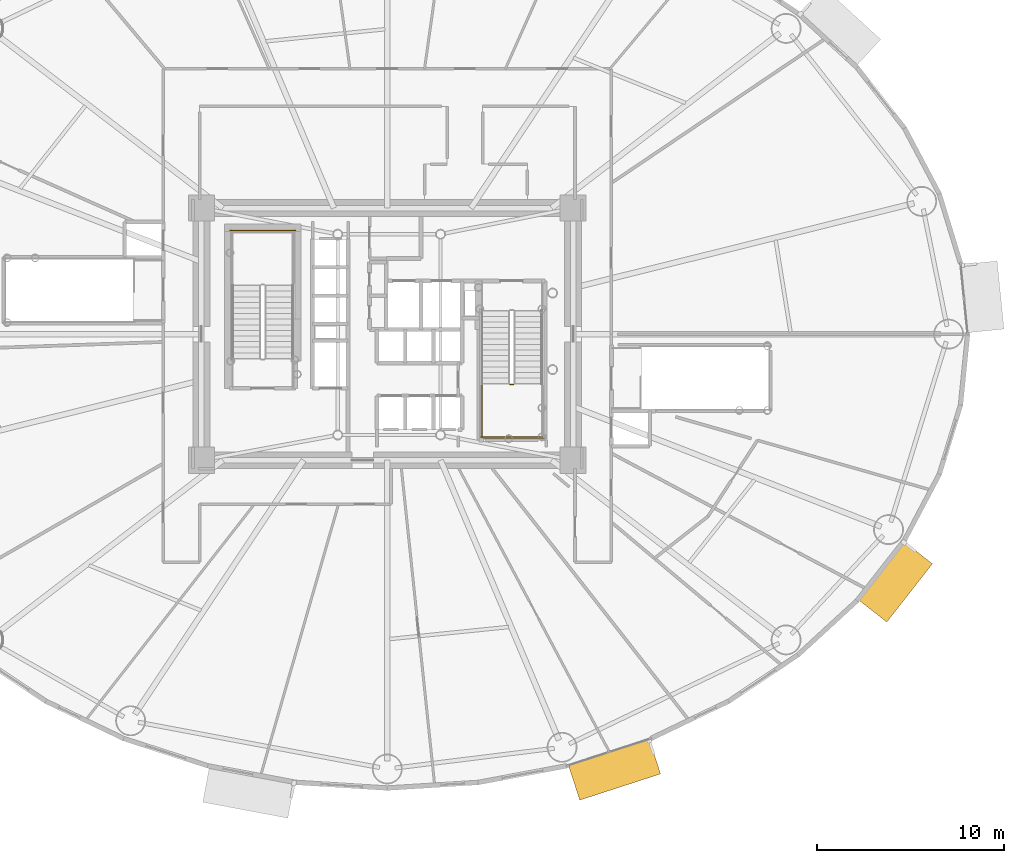
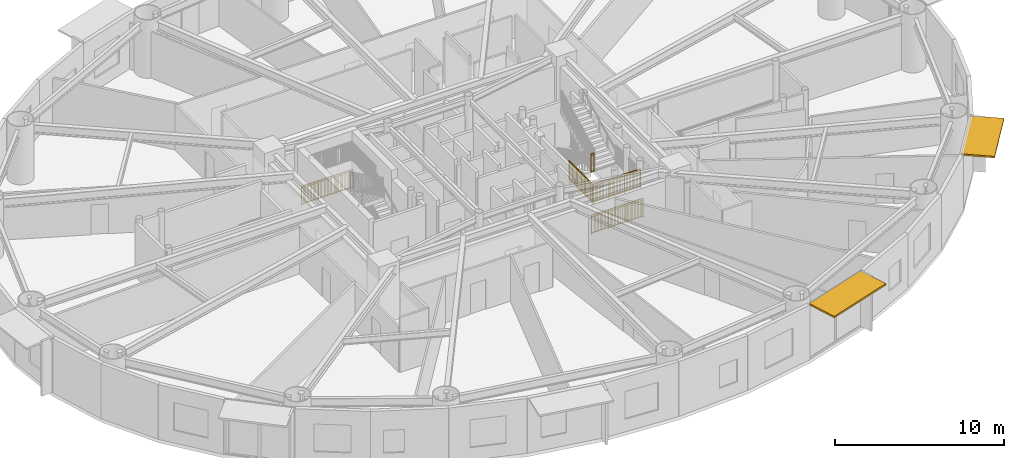
# One storey, part 25 of 28: 5 railings, 2 shading devices.
"""IFC4 building model written with IfcOpenShell, lengths in metres."""

from ifc_helpers import new_model, si_unit, direction, frame, origin, origin_2d, place, context, subcontext, project, spatial, rectangle, extrude, source, transform, mapped, material, layer, layer_set, type_object, element, save


model = new_model("IFC4")

# Units and contexts
model_context = context("Model", 3, precision=1e-05, world=origin(), true_north=direction((0.0, 1.0)))
body_context = subcontext(model_context, "Body", "Model", "MODEL_VIEW")
ifc_project = project(units=[si_unit("LENGTHUNIT", "METRE"), si_unit("AREAUNIT", "SQUARE_METRE"), si_unit("VOLUMEUNIT", "CUBIC_METRE"), si_unit("PLANEANGLEUNIT", "RADIAN"), si_unit("MASSUNIT", "GRAM", prefix="KILO")], contexts=[model_context])

# Site, building, storey
site_placement = place(None, origin())
site = spatial("IfcSite", under=ifc_project, at=site_placement, CompositionType="ELEMENT")
building_placement = place(site_placement, origin())
building = spatial("IfcBuilding", under=site, at=building_placement, Name="Linh Dai School and Residence Tower", CompositionType="ELEMENT")
storey_placement = place(building_placement, frame((0.0, 0.0, 57.60009765625)))
storey = spatial("IfcBuildingStorey", under=building, at=storey_placement, Name="L13", CompositionType="ELEMENT", Elevation=57.60009765625)

# Shading devices
ifc_material_1 = material(Name="Terracotta Ceramic Sunshade", Category="masonry")
ifc_layer = layer(ifc_material_1, 0.1201171875)
ifc_layer_set = layer_set([ifc_layer], Name="Terracotta Ceramic Sunshade")
shading_device_type = type_object("IfcShadingDeviceType", Name="SHD-TC-2000", PredefinedType="USERDEFINED", material=ifc_layer_set)
shared_shape_1 = source(origin(), body_context, "Body", "SweptSolid", [
    extrude(rectangle(XDim=4.54931640625, YDim=2.0, at=origin_2d()), origin(), (0.0, 0.0, 1.0), 0.1201171875),
])
shading_device_1_placement = place(storey_placement, frame((48.160400390625, 3.70458984375, 3.809814453125), z_axis=(0.0, 0.0, 1.0), x_axis=(-0.951220777043, -0.308510993844, 0.0)))
element("IfcShadingDevice", 1, at=shading_device_1_placement, inside=storey, type_object=shading_device_type, Name="L13 Terracotta Horizontal Sunshade Band 33", ObjectType="SUNSHADE", PredefinedType="USERDEFINED", context=body_context, shape_type="MappedRepresentation", body=[
    mapped(shared_shape_1, transform((0.0, 0.0, 0.0), x_axis=(1.0, 0.0, 0.0), y_axis=(0.0, 1.0, 0.0), z_axis=(0.0, 0.0, 1.0), scale=1.0)),
])
shared_shape_2 = source(origin(), body_context, "Body", "SweptSolid", [
    extrude(rectangle(XDim=3.964111328125, YDim=2.0, at=origin_2d()), origin(), (0.0, 0.0, 1.0), 0.1201171875),
])
shading_device_2_placement = place(storey_placement, frame((63.17822265625, 13.759521484375, 3.809814453125), z_axis=(0.0, 0.0, 1.0), x_axis=(-0.616319427785, -0.787496262172, 0.0)))
element("IfcShadingDevice", 2, at=shading_device_2_placement, inside=storey, type_object=shading_device_type, Name="L13 Terracotta Horizontal Sunshade Band 37", ObjectType="SUNSHADE", PredefinedType="USERDEFINED", context=body_context, shape_type="MappedRepresentation", body=[
    mapped(shared_shape_2, transform((0.0, 0.0, 0.0), x_axis=(1.0, 0.0, 0.0), y_axis=(0.0, 1.0, 0.0), z_axis=(0.0, 0.0, 1.0), scale=1.0)),
])

# Railings
ifc_material_2 = material(Name="Structural Steel S355JR", Category="steel")
railing_type = type_object("IfcRailingType", Name="RL-ST-GUARD-1400", PredefinedType="GUARDRAIL", material=ifc_material_2)
shared_shape_3 = source(origin(), body_context, "Body", "SweptSolid", [
    extrude(rectangle(XDim=0.048095703125, YDim=0.048095703125, at=origin_2d()), frame((0.0, 0.0, 1.3759765625), z_axis=(-1.0, 0.0, 0.0), x_axis=(0.0, -1.0, 0.0)), (0.0, 0.0, 1.0), 3.5),
    extrude(rectangle(XDim=0.048095703125, YDim=0.048095703125, at=origin_2d()), frame((0.0, 0.0, 0.10009765625), z_axis=(-1.0, 0.0, 0.0), x_axis=(0.0, -1.0, 0.0)), (0.0, 0.0, 1.0), 3.5),
    extrude(rectangle(XDim=0.030029296875, YDim=0.030029296875, at=origin_2d()), frame((0.0, 0.0, 1.239990234375), z_axis=(-1.0, 0.0, 0.0), x_axis=(0.0, -1.0, 0.0)), (0.0, 0.0, 1.0), 3.5),
    extrude(rectangle(XDim=0.02001953125, YDim=0.02001953125, at=origin_2d()), frame((-0.09716796875, 0.0, 0.10009765625)), (0.0, 0.0, 1.0), 1.251708984375),
    extrude(rectangle(XDim=0.02001953125, YDim=0.02001953125, at=origin_2d()), frame((-0.1943359375, 0.0, 0.10009765625)), (0.0, 0.0, 1.0), 1.251708984375),
    extrude(rectangle(XDim=0.02001953125, YDim=0.02001953125, at=origin_2d()), frame((-0.291748046875, 0.0, 0.10009765625)), (0.0, 0.0, 1.0), 1.251708984375),
    extrude(rectangle(XDim=0.02001953125, YDim=0.02001953125, at=origin_2d()), frame((-0.388916015625, 0.0, 0.10009765625)), (0.0, 0.0, 1.0), 1.251708984375),
    extrude(rectangle(XDim=0.02001953125, YDim=0.02001953125, at=origin_2d()), frame((-0.486083984375, 0.0, 0.10009765625)), (0.0, 0.0, 1.0), 1.251708984375),
    extrude(rectangle(XDim=0.02001953125, YDim=0.02001953125, at=origin_2d()), frame((-0.583251953125, 0.0, 0.10009765625)), (0.0, 0.0, 1.0), 1.251708984375),
    extrude(rectangle(XDim=0.02001953125, YDim=0.02001953125, at=origin_2d()), frame((-0.6806640625, 0.0, 0.10009765625)), (0.0, 0.0, 1.0), 1.251708984375),
    extrude(rectangle(XDim=0.02001953125, YDim=0.02001953125, at=origin_2d()), frame((-0.77783203125, 0.0, 0.10009765625)), (0.0, 0.0, 1.0), 1.251708984375),
    extrude(rectangle(XDim=0.02001953125, YDim=0.02001953125, at=origin_2d()), frame((-0.875, 0.0, 0.10009765625)), (0.0, 0.0, 1.0), 1.251708984375),
    extrude(rectangle(XDim=0.02001953125, YDim=0.02001953125, at=origin_2d()), frame((-0.97216796875, 0.0, 0.10009765625)), (0.0, 0.0, 1.0), 1.251708984375),
    extrude(rectangle(XDim=0.02001953125, YDim=0.02001953125, at=origin_2d()), frame((-1.0693359375, 0.0, 0.10009765625)), (0.0, 0.0, 1.0), 1.251708984375),
    extrude(rectangle(XDim=0.02001953125, YDim=0.02001953125, at=origin_2d()), frame((-1.263916015625, 0.0, 0.10009765625)), (0.0, 0.0, 1.0), 1.251708984375),
    extrude(rectangle(XDim=0.02001953125, YDim=0.02001953125, at=origin_2d()), frame((-1.361083984375, 0.0, 0.10009765625)), (0.0, 0.0, 1.0), 1.251708984375),
    extrude(rectangle(XDim=0.02001953125, YDim=0.02001953125, at=origin_2d()), frame((-1.458251953125, 0.0, 0.10009765625)), (0.0, 0.0, 1.0), 1.251708984375),
    extrude(rectangle(XDim=0.02001953125, YDim=0.02001953125, at=origin_2d()), frame((-1.5556640625, 0.0, 0.10009765625)), (0.0, 0.0, 1.0), 1.251708984375),
    extrude(rectangle(XDim=0.02001953125, YDim=0.02001953125, at=origin_2d()), frame((-1.65283203125, 0.0, 0.10009765625)), (0.0, 0.0, 1.0), 1.251708984375),
    extrude(rectangle(XDim=0.02001953125, YDim=0.02001953125, at=origin_2d()), frame((-1.75, 0.0, 0.10009765625)), (0.0, 0.0, 1.0), 1.251708984375),
    extrude(rectangle(XDim=0.02001953125, YDim=0.02001953125, at=origin_2d()), frame((-1.84716796875, 0.0, 0.10009765625)), (0.0, 0.0, 1.0), 1.251708984375),
    extrude(rectangle(XDim=0.02001953125, YDim=0.02001953125, at=origin_2d()), frame((-1.9443359375, 0.0, 0.10009765625)), (0.0, 0.0, 1.0), 1.251708984375),
    extrude(rectangle(XDim=0.02001953125, YDim=0.02001953125, at=origin_2d()), frame((-2.041748046875, 0.0, 0.10009765625)), (0.0, 0.0, 1.0), 1.251708984375),
    extrude(rectangle(XDim=0.02001953125, YDim=0.02001953125, at=origin_2d()), frame((-2.138916015625, 0.0, 0.10009765625)), (0.0, 0.0, 1.0), 1.251708984375),
    extrude(rectangle(XDim=0.02001953125, YDim=0.02001953125, at=origin_2d()), frame((-2.236083984375, 0.0, 0.10009765625)), (0.0, 0.0, 1.0), 1.251708984375),
    extrude(rectangle(XDim=0.02001953125, YDim=0.02001953125, at=origin_2d()), frame((-2.4306640625, 0.0, 0.10009765625)), (0.0, 0.0, 1.0), 1.251708984375),
    extrude(rectangle(XDim=0.02001953125, YDim=0.02001953125, at=origin_2d()), frame((-2.52783203125, 0.0, 0.10009765625)), (0.0, 0.0, 1.0), 1.251708984375),
    extrude(rectangle(XDim=0.02001953125, YDim=0.02001953125, at=origin_2d()), frame((-2.625, 0.0, 0.10009765625)), (0.0, 0.0, 1.0), 1.251708984375),
    extrude(rectangle(XDim=0.02001953125, YDim=0.02001953125, at=origin_2d()), frame((-2.72216796875, 0.0, 0.10009765625)), (0.0, 0.0, 1.0), 1.251708984375),
    extrude(rectangle(XDim=0.02001953125, YDim=0.02001953125, at=origin_2d()), frame((-2.8193359375, 0.0, 0.10009765625)), (0.0, 0.0, 1.0), 1.251708984375),
    extrude(rectangle(XDim=0.02001953125, YDim=0.02001953125, at=origin_2d()), frame((-2.916748046875, 0.0, 0.10009765625)), (0.0, 0.0, 1.0), 1.251708984375),
    extrude(rectangle(XDim=0.02001953125, YDim=0.02001953125, at=origin_2d()), frame((-3.013916015625, 0.0, 0.10009765625)), (0.0, 0.0, 1.0), 1.251708984375),
    extrude(rectangle(XDim=0.02001953125, YDim=0.02001953125, at=origin_2d()), frame((-3.111083984375, 0.0, 0.10009765625)), (0.0, 0.0, 1.0), 1.251708984375),
    extrude(rectangle(XDim=0.02001953125, YDim=0.02001953125, at=origin_2d()), frame((-3.208251953125, 0.0, 0.10009765625)), (0.0, 0.0, 1.0), 1.251708984375),
    extrude(rectangle(XDim=0.02001953125, YDim=0.02001953125, at=origin_2d()), frame((-3.3056640625, 0.0, 0.10009765625)), (0.0, 0.0, 1.0), 1.251708984375),
    extrude(rectangle(XDim=0.02001953125, YDim=0.02001953125, at=origin_2d()), frame((-3.40283203125, 0.0, 0.10009765625)), (0.0, 0.0, 1.0), 1.251708984375),
    extrude(rectangle(XDim=0.0419921875, YDim=0.0419921875, at=origin_2d()), origin(), (0.0, 0.0, 1.0), 1.3759765625),
    extrude(rectangle(XDim=0.0419921875, YDim=0.0419921875, at=origin_2d()), frame((-1.166748046875, 0.0, 0.0)), (0.0, 0.0, 1.0), 1.3759765625),
    extrude(rectangle(XDim=0.0419921875, YDim=0.0419921875, at=origin_2d()), frame((-2.333251953125, 0.0, 0.0)), (0.0, 0.0, 1.0), 1.3759765625),
    extrude(rectangle(XDim=0.0419921875, YDim=0.0419921875, at=origin_2d()), frame((-3.5, 0.0, 0.0)), (0.0, 0.0, 1.0), 1.3759765625),
])
railing_1_placement = place(storey_placement, frame((31.080078125, 32.550048828125, 0.0)))
element("IfcRailing", 3, at=railing_1_placement, inside=storey, type_object=railing_type, Name="L13 ST1 stair guard 12", PredefinedType="GUARDRAIL", context=body_context, shape_type="MappedRepresentation", body=[
    mapped(shared_shape_3, transform((0.0, 0.0, 0.0), x_axis=(1.0, 0.0, 0.0), y_axis=(0.0, 1.0, 0.0), z_axis=(0.0, 0.0, 1.0), scale=1.0)),
])
shared_shape_4 = source(origin(), body_context, "Body", "SweptSolid", [
    extrude(rectangle(XDim=0.048095703125, YDim=0.048095703125, at=origin_2d()), frame((0.0, 0.0, 1.3759765625), z_axis=(1.0, 0.0, 0.0), x_axis=(0.0, 1.0, 0.0)), (0.0, 0.0, 1.0), 0.199951171875),
    extrude(rectangle(XDim=0.048095703125, YDim=0.048095703125, at=origin_2d()), frame((0.0, 0.0, 0.10009765625), z_axis=(1.0, 0.0, 0.0), x_axis=(0.0, 1.0, 0.0)), (0.0, 0.0, 1.0), 0.199951171875),
    extrude(rectangle(XDim=0.030029296875, YDim=0.030029296875, at=origin_2d()), frame((0.0, 0.0, 1.239990234375), z_axis=(1.0, 0.0, 0.0), x_axis=(0.0, 1.0, 0.0)), (0.0, 0.0, 1.0), 0.199951171875),
    extrude(rectangle(XDim=0.0419921875, YDim=0.0419921875, at=origin_2d()), origin(), (0.0, 0.0, 1.0), 1.3759765625),
    extrude(rectangle(XDim=0.0419921875, YDim=0.0419921875, at=origin_2d()), frame((0.199951171875, 0.0, 0.0)), (0.0, 0.0, 1.0), 1.3759765625),
])
railing_2_placement = place(storey_placement, frame((42.570068359375, 24.300048828125, 2.099853515625)))
element("IfcRailing", 4, at=railing_2_placement, inside=storey, type_object=railing_type, Name="L13 ST2 stair guard 2", PredefinedType="GUARDRAIL", context=body_context, shape_type="MappedRepresentation", body=[
    mapped(shared_shape_4, transform((0.0, 0.0, 0.0), x_axis=(1.0, 0.0, 0.0), y_axis=(0.0, 1.0, 0.0), z_axis=(0.0, 0.0, 1.0), scale=1.0)),
])
shared_shape_5 = source(origin(), body_context, "Body", "SweptSolid", [
    extrude(rectangle(XDim=0.048095703125, YDim=0.048095703125, at=origin_2d()), frame((0.0, 0.0, 1.3759765625), z_axis=(1.0, 0.0, 0.0), x_axis=(0.0, 1.0, 0.0)), (0.0, 0.0, 1.0), 3.300048828125),
    extrude(rectangle(XDim=0.048095703125, YDim=0.048095703125, at=origin_2d()), frame((0.0, 0.0, 0.10009765625), z_axis=(1.0, 0.0, 0.0), x_axis=(0.0, 1.0, 0.0)), (0.0, 0.0, 1.0), 3.300048828125),
    extrude(rectangle(XDim=0.030029296875, YDim=0.030029296875, at=origin_2d()), frame((0.0, 0.0, 1.239990234375), z_axis=(1.0, 0.0, 0.0), x_axis=(0.0, 1.0, 0.0)), (0.0, 0.0, 1.0), 3.300048828125),
    extrude(rectangle(XDim=0.02001953125, YDim=0.02001953125, at=origin_2d()), frame((0.09716796875, 0.0, 0.10009765625)), (0.0, 0.0, 1.0), 1.251708984375),
    extrude(rectangle(XDim=0.02001953125, YDim=0.02001953125, at=origin_2d()), frame((0.194091796875, 0.0, 0.10009765625)), (0.0, 0.0, 1.0), 1.251708984375),
    extrude(rectangle(XDim=0.02001953125, YDim=0.02001953125, at=origin_2d()), frame((0.291259765625, 0.0, 0.10009765625)), (0.0, 0.0, 1.0), 1.251708984375),
    extrude(rectangle(XDim=0.02001953125, YDim=0.02001953125, at=origin_2d()), frame((0.38818359375, 0.0, 0.10009765625)), (0.0, 0.0, 1.0), 1.251708984375),
    extrude(rectangle(XDim=0.02001953125, YDim=0.02001953125, at=origin_2d()), frame((0.4853515625, 0.0, 0.10009765625)), (0.0, 0.0, 1.0), 1.251708984375),
    extrude(rectangle(XDim=0.02001953125, YDim=0.02001953125, at=origin_2d()), frame((0.582275390625, 0.0, 0.10009765625)), (0.0, 0.0, 1.0), 1.251708984375),
    extrude(rectangle(XDim=0.02001953125, YDim=0.02001953125, at=origin_2d()), frame((0.679443359375, 0.0, 0.10009765625)), (0.0, 0.0, 1.0), 1.251708984375),
    extrude(rectangle(XDim=0.02001953125, YDim=0.02001953125, at=origin_2d()), frame((0.7763671875, 0.0, 0.10009765625)), (0.0, 0.0, 1.0), 1.251708984375),
    extrude(rectangle(XDim=0.02001953125, YDim=0.02001953125, at=origin_2d()), frame((0.87353515625, 0.0, 0.10009765625)), (0.0, 0.0, 1.0), 1.251708984375),
    extrude(rectangle(XDim=0.02001953125, YDim=0.02001953125, at=origin_2d()), frame((0.970703125, 0.0, 0.10009765625)), (0.0, 0.0, 1.0), 1.251708984375),
    extrude(rectangle(XDim=0.02001953125, YDim=0.02001953125, at=origin_2d()), frame((1.164794921875, 0.0, 0.10009765625)), (0.0, 0.0, 1.0), 1.251708984375),
    extrude(rectangle(XDim=0.02001953125, YDim=0.02001953125, at=origin_2d()), frame((1.26171875, 0.0, 0.10009765625)), (0.0, 0.0, 1.0), 1.251708984375),
    extrude(rectangle(XDim=0.02001953125, YDim=0.02001953125, at=origin_2d()), frame((1.35888671875, 0.0, 0.10009765625)), (0.0, 0.0, 1.0), 1.251708984375),
    extrude(rectangle(XDim=0.02001953125, YDim=0.02001953125, at=origin_2d()), frame((1.455810546875, 0.0, 0.10009765625)), (0.0, 0.0, 1.0), 1.251708984375),
    extrude(rectangle(XDim=0.02001953125, YDim=0.02001953125, at=origin_2d()), frame((1.552978515625, 0.0, 0.10009765625)), (0.0, 0.0, 1.0), 1.251708984375),
    extrude(rectangle(XDim=0.02001953125, YDim=0.02001953125, at=origin_2d()), frame((1.64990234375, 0.0, 0.10009765625)), (0.0, 0.0, 1.0), 1.251708984375),
    extrude(rectangle(XDim=0.02001953125, YDim=0.02001953125, at=origin_2d()), frame((1.7470703125, 0.0, 0.10009765625)), (0.0, 0.0, 1.0), 1.251708984375),
    extrude(rectangle(XDim=0.02001953125, YDim=0.02001953125, at=origin_2d()), frame((1.84423828125, 0.0, 0.10009765625)), (0.0, 0.0, 1.0), 1.251708984375),
    extrude(rectangle(XDim=0.02001953125, YDim=0.02001953125, at=origin_2d()), frame((1.941162109375, 0.0, 0.10009765625)), (0.0, 0.0, 1.0), 1.251708984375),
    extrude(rectangle(XDim=0.02001953125, YDim=0.02001953125, at=origin_2d()), frame((2.038330078125, 0.0, 0.10009765625)), (0.0, 0.0, 1.0), 1.251708984375),
    extrude(rectangle(XDim=0.02001953125, YDim=0.02001953125, at=origin_2d()), frame((2.13525390625, 0.0, 0.10009765625)), (0.0, 0.0, 1.0), 1.251708984375),
    extrude(rectangle(XDim=0.02001953125, YDim=0.02001953125, at=origin_2d()), frame((2.329345703125, 0.0, 0.10009765625)), (0.0, 0.0, 1.0), 1.251708984375),
    extrude(rectangle(XDim=0.02001953125, YDim=0.02001953125, at=origin_2d()), frame((2.426513671875, 0.0, 0.10009765625)), (0.0, 0.0, 1.0), 1.251708984375),
    extrude(rectangle(XDim=0.02001953125, YDim=0.02001953125, at=origin_2d()), frame((2.523681640625, 0.0, 0.10009765625)), (0.0, 0.0, 1.0), 1.251708984375),
    extrude(rectangle(XDim=0.02001953125, YDim=0.02001953125, at=origin_2d()), frame((2.62060546875, 0.0, 0.10009765625)), (0.0, 0.0, 1.0), 1.251708984375),
    extrude(rectangle(XDim=0.02001953125, YDim=0.02001953125, at=origin_2d()), frame((2.7177734375, 0.0, 0.10009765625)), (0.0, 0.0, 1.0), 1.251708984375),
    extrude(rectangle(XDim=0.02001953125, YDim=0.02001953125, at=origin_2d()), frame((2.814697265625, 0.0, 0.10009765625)), (0.0, 0.0, 1.0), 1.251708984375),
    extrude(rectangle(XDim=0.02001953125, YDim=0.02001953125, at=origin_2d()), frame((2.911865234375, 0.0, 0.10009765625)), (0.0, 0.0, 1.0), 1.251708984375),
    extrude(rectangle(XDim=0.02001953125, YDim=0.02001953125, at=origin_2d()), frame((3.0087890625, 0.0, 0.10009765625)), (0.0, 0.0, 1.0), 1.251708984375),
    extrude(rectangle(XDim=0.02001953125, YDim=0.02001953125, at=origin_2d()), frame((3.10595703125, 0.0, 0.10009765625)), (0.0, 0.0, 1.0), 1.251708984375),
    extrude(rectangle(XDim=0.02001953125, YDim=0.02001953125, at=origin_2d()), frame((3.202880859375, 0.0, 0.10009765625)), (0.0, 0.0, 1.0), 1.251708984375),
    extrude(rectangle(XDim=0.0419921875, YDim=0.0419921875, at=origin_2d()), origin(), (0.0, 0.0, 1.0), 1.3759765625),
    extrude(rectangle(XDim=0.0419921875, YDim=0.0419921875, at=origin_2d()), frame((1.10009765625, 0.0, 0.0)), (0.0, 0.0, 1.0), 1.3759765625),
    extrude(rectangle(XDim=0.0419921875, YDim=0.0419921875, at=origin_2d()), frame((2.199951171875, 0.0, 0.0)), (0.0, 0.0, 1.0), 1.3759765625),
    extrude(rectangle(XDim=0.0419921875, YDim=0.0419921875, at=origin_2d()), frame((3.300048828125, 0.0, 0.0)), (0.0, 0.0, 1.0), 1.3759765625),
])
railing_3_placement = place(storey_placement, frame((41.02001953125, 21.5, 2.099853515625)))
element("IfcRailing", 5, at=railing_3_placement, inside=storey, type_object=railing_type, Name="L13 ST2 stair guard 5", PredefinedType="GUARDRAIL", context=body_context, shape_type="MappedRepresentation", body=[
    mapped(shared_shape_5, transform((0.0, 0.0, 0.0), x_axis=(1.0, 0.0, 0.0), y_axis=(0.0, 1.0, 0.0), z_axis=(0.0, 0.0, 1.0), scale=1.0)),
])
shared_shape_6 = source(origin(), body_context, "Body", "SweptSolid", [
    extrude(rectangle(XDim=0.048095703125, YDim=0.048095703125, at=origin_2d()), frame((0.0, 0.0, 1.3759765625), z_axis=(1.0, 0.0, 0.0), x_axis=(0.0, 1.0, 0.0)), (0.0, 0.0, 1.0), 3.5),
    extrude(rectangle(XDim=0.048095703125, YDim=0.048095703125, at=origin_2d()), frame((0.0, 0.0, 0.10009765625), z_axis=(1.0, 0.0, 0.0), x_axis=(0.0, 1.0, 0.0)), (0.0, 0.0, 1.0), 3.5),
    extrude(rectangle(XDim=0.030029296875, YDim=0.030029296875, at=origin_2d()), frame((0.0, 0.0, 1.239990234375), z_axis=(1.0, 0.0, 0.0), x_axis=(0.0, 1.0, 0.0)), (0.0, 0.0, 1.0), 3.5),
    extrude(rectangle(XDim=0.02001953125, YDim=0.02001953125, at=origin_2d()), frame((0.09716796875, 0.0, 0.10009765625)), (0.0, 0.0, 1.0), 1.251708984375),
    extrude(rectangle(XDim=0.02001953125, YDim=0.02001953125, at=origin_2d()), frame((0.1943359375, 0.0, 0.10009765625)), (0.0, 0.0, 1.0), 1.251708984375),
    extrude(rectangle(XDim=0.02001953125, YDim=0.02001953125, at=origin_2d()), frame((0.291748046875, 0.0, 0.10009765625)), (0.0, 0.0, 1.0), 1.251708984375),
    extrude(rectangle(XDim=0.02001953125, YDim=0.02001953125, at=origin_2d()), frame((0.388916015625, 0.0, 0.10009765625)), (0.0, 0.0, 1.0), 1.251708984375),
    extrude(rectangle(XDim=0.02001953125, YDim=0.02001953125, at=origin_2d()), frame((0.486083984375, 0.0, 0.10009765625)), (0.0, 0.0, 1.0), 1.251708984375),
    extrude(rectangle(XDim=0.02001953125, YDim=0.02001953125, at=origin_2d()), frame((0.583251953125, 0.0, 0.10009765625)), (0.0, 0.0, 1.0), 1.251708984375),
    extrude(rectangle(XDim=0.02001953125, YDim=0.02001953125, at=origin_2d()), frame((0.6806640625, 0.0, 0.10009765625)), (0.0, 0.0, 1.0), 1.251708984375),
    extrude(rectangle(XDim=0.02001953125, YDim=0.02001953125, at=origin_2d()), frame((0.77783203125, 0.0, 0.10009765625)), (0.0, 0.0, 1.0), 1.251708984375),
    extrude(rectangle(XDim=0.02001953125, YDim=0.02001953125, at=origin_2d()), frame((0.875, 0.0, 0.10009765625)), (0.0, 0.0, 1.0), 1.251708984375),
    extrude(rectangle(XDim=0.02001953125, YDim=0.02001953125, at=origin_2d()), frame((0.97216796875, 0.0, 0.10009765625)), (0.0, 0.0, 1.0), 1.251708984375),
    extrude(rectangle(XDim=0.02001953125, YDim=0.02001953125, at=origin_2d()), frame((1.0693359375, 0.0, 0.10009765625)), (0.0, 0.0, 1.0), 1.251708984375),
    extrude(rectangle(XDim=0.02001953125, YDim=0.02001953125, at=origin_2d()), frame((1.263916015625, 0.0, 0.10009765625)), (0.0, 0.0, 1.0), 1.251708984375),
    extrude(rectangle(XDim=0.02001953125, YDim=0.02001953125, at=origin_2d()), frame((1.361083984375, 0.0, 0.10009765625)), (0.0, 0.0, 1.0), 1.251708984375),
    extrude(rectangle(XDim=0.02001953125, YDim=0.02001953125, at=origin_2d()), frame((1.458251953125, 0.0, 0.10009765625)), (0.0, 0.0, 1.0), 1.251708984375),
    extrude(rectangle(XDim=0.02001953125, YDim=0.02001953125, at=origin_2d()), frame((1.5556640625, 0.0, 0.10009765625)), (0.0, 0.0, 1.0), 1.251708984375),
    extrude(rectangle(XDim=0.02001953125, YDim=0.02001953125, at=origin_2d()), frame((1.65283203125, 0.0, 0.10009765625)), (0.0, 0.0, 1.0), 1.251708984375),
    extrude(rectangle(XDim=0.02001953125, YDim=0.02001953125, at=origin_2d()), frame((1.75, 0.0, 0.10009765625)), (0.0, 0.0, 1.0), 1.251708984375),
    extrude(rectangle(XDim=0.02001953125, YDim=0.02001953125, at=origin_2d()), frame((1.84716796875, 0.0, 0.10009765625)), (0.0, 0.0, 1.0), 1.251708984375),
    extrude(rectangle(XDim=0.02001953125, YDim=0.02001953125, at=origin_2d()), frame((1.9443359375, 0.0, 0.10009765625)), (0.0, 0.0, 1.0), 1.251708984375),
    extrude(rectangle(XDim=0.02001953125, YDim=0.02001953125, at=origin_2d()), frame((2.041748046875, 0.0, 0.10009765625)), (0.0, 0.0, 1.0), 1.251708984375),
    extrude(rectangle(XDim=0.02001953125, YDim=0.02001953125, at=origin_2d()), frame((2.138916015625, 0.0, 0.10009765625)), (0.0, 0.0, 1.0), 1.251708984375),
    extrude(rectangle(XDim=0.02001953125, YDim=0.02001953125, at=origin_2d()), frame((2.236083984375, 0.0, 0.10009765625)), (0.0, 0.0, 1.0), 1.251708984375),
    extrude(rectangle(XDim=0.02001953125, YDim=0.02001953125, at=origin_2d()), frame((2.4306640625, 0.0, 0.10009765625)), (0.0, 0.0, 1.0), 1.251708984375),
    extrude(rectangle(XDim=0.02001953125, YDim=0.02001953125, at=origin_2d()), frame((2.52783203125, 0.0, 0.10009765625)), (0.0, 0.0, 1.0), 1.251708984375),
    extrude(rectangle(XDim=0.02001953125, YDim=0.02001953125, at=origin_2d()), frame((2.625, 0.0, 0.10009765625)), (0.0, 0.0, 1.0), 1.251708984375),
    extrude(rectangle(XDim=0.02001953125, YDim=0.02001953125, at=origin_2d()), frame((2.72216796875, 0.0, 0.10009765625)), (0.0, 0.0, 1.0), 1.251708984375),
    extrude(rectangle(XDim=0.02001953125, YDim=0.02001953125, at=origin_2d()), frame((2.8193359375, 0.0, 0.10009765625)), (0.0, 0.0, 1.0), 1.251708984375),
    extrude(rectangle(XDim=0.02001953125, YDim=0.02001953125, at=origin_2d()), frame((2.916748046875, 0.0, 0.10009765625)), (0.0, 0.0, 1.0), 1.251708984375),
    extrude(rectangle(XDim=0.02001953125, YDim=0.02001953125, at=origin_2d()), frame((3.013916015625, 0.0, 0.10009765625)), (0.0, 0.0, 1.0), 1.251708984375),
    extrude(rectangle(XDim=0.02001953125, YDim=0.02001953125, at=origin_2d()), frame((3.111083984375, 0.0, 0.10009765625)), (0.0, 0.0, 1.0), 1.251708984375),
    extrude(rectangle(XDim=0.02001953125, YDim=0.02001953125, at=origin_2d()), frame((3.208251953125, 0.0, 0.10009765625)), (0.0, 0.0, 1.0), 1.251708984375),
    extrude(rectangle(XDim=0.02001953125, YDim=0.02001953125, at=origin_2d()), frame((3.3056640625, 0.0, 0.10009765625)), (0.0, 0.0, 1.0), 1.251708984375),
    extrude(rectangle(XDim=0.02001953125, YDim=0.02001953125, at=origin_2d()), frame((3.40283203125, 0.0, 0.10009765625)), (0.0, 0.0, 1.0), 1.251708984375),
    extrude(rectangle(XDim=0.0419921875, YDim=0.0419921875, at=origin_2d()), origin(), (0.0, 0.0, 1.0), 1.3759765625),
    extrude(rectangle(XDim=0.0419921875, YDim=0.0419921875, at=origin_2d()), frame((1.166748046875, 0.0, 0.0)), (0.0, 0.0, 1.0), 1.3759765625),
    extrude(rectangle(XDim=0.0419921875, YDim=0.0419921875, at=origin_2d()), frame((2.333251953125, 0.0, 0.0)), (0.0, 0.0, 1.0), 1.3759765625),
    extrude(rectangle(XDim=0.0419921875, YDim=0.0419921875, at=origin_2d()), frame((3.5, 0.0, 0.0)), (0.0, 0.0, 1.0), 1.3759765625),
])
railing_4_placement = place(storey_placement, frame((40.919921875, 21.39990234375, 0.0)))
element("IfcRailing", 6, at=railing_4_placement, inside=storey, type_object=railing_type, Name="L13 ST2 stair guard 12", PredefinedType="GUARDRAIL", context=body_context, shape_type="MappedRepresentation", body=[
    mapped(shared_shape_6, transform((0.0, 0.0, 0.0), x_axis=(1.0, 0.0, 0.0), y_axis=(0.0, 1.0, 0.0), z_axis=(0.0, 0.0, 1.0), scale=1.0)),
])
shared_shape_7 = source(origin(), body_context, "Body", "SweptSolid", [
    extrude(rectangle(XDim=0.048095703125, YDim=0.048095703125, at=origin_2d()), frame((0.0, 0.0, 1.3759765625), z_axis=(0.0, -1.0, 0.0), x_axis=(1.0, 0.0, 0.0)), (0.0, 0.0, 1.0), 2.900146484375),
    extrude(rectangle(XDim=0.048095703125, YDim=0.048095703125, at=origin_2d()), frame((0.0, 0.0, 0.10009765625), z_axis=(0.0, -1.0, 0.0), x_axis=(1.0, 0.0, 0.0)), (0.0, 0.0, 1.0), 2.900146484375),
    extrude(rectangle(XDim=0.030029296875, YDim=0.030029296875, at=origin_2d()), frame((0.0, 0.0, 1.239990234375), z_axis=(0.0, -1.0, 0.0), x_axis=(1.0, 0.0, 0.0)), (0.0, 0.0, 1.0), 2.900146484375),
    extrude(rectangle(XDim=0.02001953125, YDim=0.02001953125, at=origin_2d()), frame((0.0, -0.0966796875, 0.10009765625)), (0.0, 0.0, 1.0), 1.251708984375),
    extrude(rectangle(XDim=0.02001953125, YDim=0.02001953125, at=origin_2d()), frame((0.0, -0.193359375, 0.10009765625)), (0.0, 0.0, 1.0), 1.251708984375),
    extrude(rectangle(XDim=0.02001953125, YDim=0.02001953125, at=origin_2d()), frame((0.0, -0.2900390625, 0.10009765625)), (0.0, 0.0, 1.0), 1.251708984375),
    extrude(rectangle(XDim=0.02001953125, YDim=0.02001953125, at=origin_2d()), frame((0.0, -0.38671875, 0.10009765625)), (0.0, 0.0, 1.0), 1.251708984375),
    extrude(rectangle(XDim=0.02001953125, YDim=0.02001953125, at=origin_2d()), frame((0.0, -0.4833984375, 0.10009765625)), (0.0, 0.0, 1.0), 1.251708984375),
    extrude(rectangle(XDim=0.02001953125, YDim=0.02001953125, at=origin_2d()), frame((0.0, -0.580078125, 0.10009765625)), (0.0, 0.0, 1.0), 1.251708984375),
    extrude(rectangle(XDim=0.02001953125, YDim=0.02001953125, at=origin_2d()), frame((0.0, -0.6767578125, 0.10009765625)), (0.0, 0.0, 1.0), 1.251708984375),
    extrude(rectangle(XDim=0.02001953125, YDim=0.02001953125, at=origin_2d()), frame((0.0, -0.7734375, 0.10009765625)), (0.0, 0.0, 1.0), 1.251708984375),
    extrude(rectangle(XDim=0.02001953125, YDim=0.02001953125, at=origin_2d()), frame((0.0, -0.8701171875, 0.10009765625)), (0.0, 0.0, 1.0), 1.251708984375),
    extrude(rectangle(XDim=0.02001953125, YDim=0.02001953125, at=origin_2d()), frame((0.0, -1.0634765625, 0.10009765625)), (0.0, 0.0, 1.0), 1.251708984375),
    extrude(rectangle(XDim=0.02001953125, YDim=0.02001953125, at=origin_2d()), frame((0.0, -1.16015625, 0.10009765625)), (0.0, 0.0, 1.0), 1.251708984375),
    extrude(rectangle(XDim=0.02001953125, YDim=0.02001953125, at=origin_2d()), frame((0.0, -1.2568359375, 0.10009765625)), (0.0, 0.0, 1.0), 1.251708984375),
    extrude(rectangle(XDim=0.02001953125, YDim=0.02001953125, at=origin_2d()), frame((0.0, -1.353515625, 0.10009765625)), (0.0, 0.0, 1.0), 1.251708984375),
    extrude(rectangle(XDim=0.02001953125, YDim=0.02001953125, at=origin_2d()), frame((0.0, -1.4501953125, 0.10009765625)), (0.0, 0.0, 1.0), 1.251708984375),
    extrude(rectangle(XDim=0.02001953125, YDim=0.02001953125, at=origin_2d()), frame((0.0, -1.546630859375, 0.10009765625)), (0.0, 0.0, 1.0), 1.251708984375),
    extrude(rectangle(XDim=0.02001953125, YDim=0.02001953125, at=origin_2d()), frame((0.0, -1.643310546875, 0.10009765625)), (0.0, 0.0, 1.0), 1.251708984375),
    extrude(rectangle(XDim=0.02001953125, YDim=0.02001953125, at=origin_2d()), frame((0.0, -1.739990234375, 0.10009765625)), (0.0, 0.0, 1.0), 1.251708984375),
    extrude(rectangle(XDim=0.02001953125, YDim=0.02001953125, at=origin_2d()), frame((0.0, -1.836669921875, 0.10009765625)), (0.0, 0.0, 1.0), 1.251708984375),
    extrude(rectangle(XDim=0.02001953125, YDim=0.02001953125, at=origin_2d()), frame((0.0, -2.030029296875, 0.10009765625)), (0.0, 0.0, 1.0), 1.251708984375),
    extrude(rectangle(XDim=0.02001953125, YDim=0.02001953125, at=origin_2d()), frame((0.0, -2.126708984375, 0.10009765625)), (0.0, 0.0, 1.0), 1.251708984375),
    extrude(rectangle(XDim=0.02001953125, YDim=0.02001953125, at=origin_2d()), frame((0.0, -2.223388671875, 0.10009765625)), (0.0, 0.0, 1.0), 1.251708984375),
    extrude(rectangle(XDim=0.02001953125, YDim=0.02001953125, at=origin_2d()), frame((0.0, -2.320068359375, 0.10009765625)), (0.0, 0.0, 1.0), 1.251708984375),
    extrude(rectangle(XDim=0.02001953125, YDim=0.02001953125, at=origin_2d()), frame((0.0, -2.416748046875, 0.10009765625)), (0.0, 0.0, 1.0), 1.251708984375),
    extrude(rectangle(XDim=0.02001953125, YDim=0.02001953125, at=origin_2d()), frame((0.0, -2.513427734375, 0.10009765625)), (0.0, 0.0, 1.0), 1.251708984375),
    extrude(rectangle(XDim=0.02001953125, YDim=0.02001953125, at=origin_2d()), frame((0.0, -2.610107421875, 0.10009765625)), (0.0, 0.0, 1.0), 1.251708984375),
    extrude(rectangle(XDim=0.02001953125, YDim=0.02001953125, at=origin_2d()), frame((0.0, -2.706787109375, 0.10009765625)), (0.0, 0.0, 1.0), 1.251708984375),
    extrude(rectangle(XDim=0.02001953125, YDim=0.02001953125, at=origin_2d()), frame((0.0, -2.803466796875, 0.10009765625)), (0.0, 0.0, 1.0), 1.251708984375),
    extrude(rectangle(XDim=0.0419921875, YDim=0.0419921875, at=origin_2d()), origin(), (0.0, 0.0, 1.0), 1.3759765625),
    extrude(rectangle(XDim=0.0419921875, YDim=0.0419921875, at=origin_2d()), frame((0.0, -0.966796875, 0.0)), (0.0, 0.0, 1.0), 1.3759765625),
    extrude(rectangle(XDim=0.0419921875, YDim=0.0419921875, at=origin_2d()), frame((0.0, -1.933349609375, 0.0)), (0.0, 0.0, 1.0), 1.3759765625),
    extrude(rectangle(XDim=0.0419921875, YDim=0.0419921875, at=origin_2d()), frame((0.0, -2.900146484375, 0.0)), (0.0, 0.0, 1.0), 1.3759765625),
])
railing_5_placement = place(storey_placement, frame((41.070068359375, 24.35009765625, 2.099853515625)))
element("IfcRailing", 7, at=railing_5_placement, inside=storey, type_object=railing_type, Name="L13 ST2 stair guard 3", PredefinedType="GUARDRAIL", context=body_context, shape_type="MappedRepresentation", body=[
    mapped(shared_shape_7, transform((0.0, 0.0, 0.0), x_axis=(1.0, 0.0, 0.0), y_axis=(0.0, 1.0, 0.0), z_axis=(0.0, 0.0, 1.0), scale=1.0)),
])

save(model, "model.ifc")
